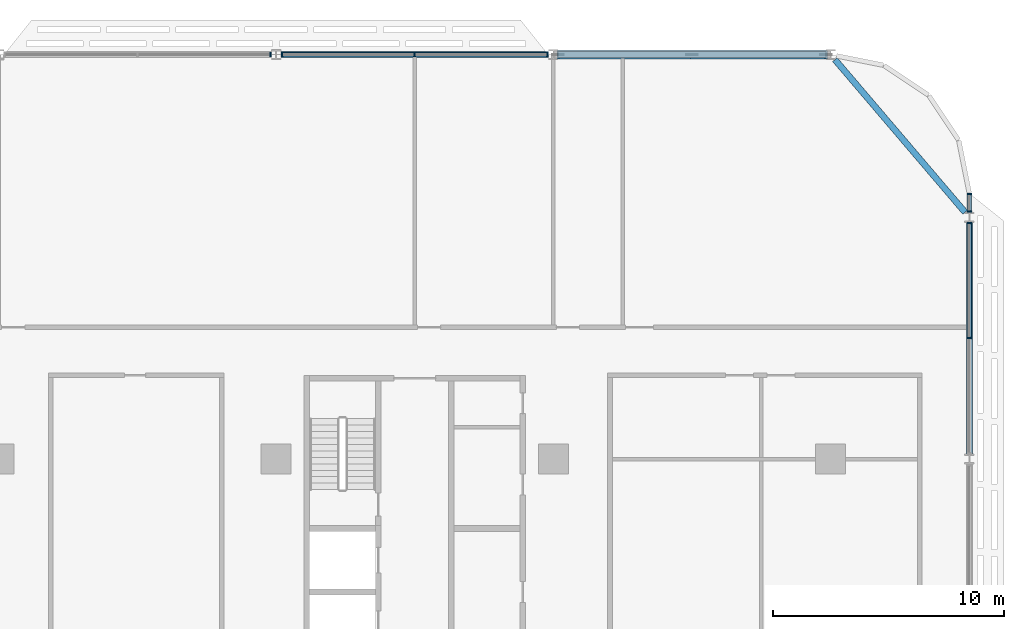
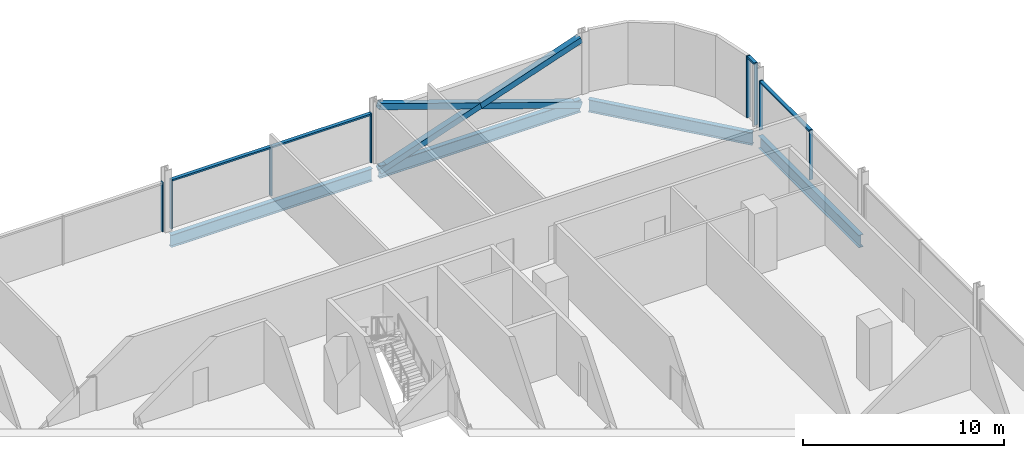
# One storey, part 10 of 29: 15 members, 4 beams, 4 elements without a shape of their own.
"""IFC4 building model written with IfcOpenShell, lengths in metres."""

from ifc_helpers import new_model, si_unit, direction, frame, origin, origin_2d, place, context, subcontext, project, spatial, rectangle, hollow_rectangle, i_section, extrude, material, material_profile, profile_set, type_object, element, aggregate, save


model = new_model("IFC4")

# Units and contexts
model_context = context("Model", 3, precision=1e-05, world=origin(), true_north=direction((0.0, 1.0)))
body_context = subcontext(model_context, "Body", "Model", "MODEL_VIEW")
ifc_project = project(units=[si_unit("LENGTHUNIT", "METRE"), si_unit("AREAUNIT", "SQUARE_METRE"), si_unit("VOLUMEUNIT", "CUBIC_METRE"), si_unit("PLANEANGLEUNIT", "RADIAN"), si_unit("MASSUNIT", "GRAM", prefix="KILO")], contexts=[model_context])

# Site, building, storey
site_placement = place(None, origin())
site = spatial("IfcSite", under=ifc_project, at=site_placement, CompositionType="ELEMENT")
building_placement = place(site_placement, origin())
building = spatial("IfcBuilding", under=site, at=building_placement, Name="Mahtab Terrace Research Tower", CompositionType="ELEMENT")
storey_placement = place(building_placement, frame((0.0, 0.0, 146.60009765625)))
storey = spatial("IfcBuildingStorey", under=building, at=storey_placement, Name="L34", CompositionType="ELEMENT", Elevation=146.60009765625)

# Members
ifc_material_1 = material(Name="Steel ASTM A500 Gr C", Category="steel")
ifc_material_profile_1 = material_profile(ifc_material_1, hollow_rectangle(XDim=0.355712890625, YDim=0.355712890625, WallThickness=0.01904296875, at=origin_2d()), Name="HSS14X14X3/4")
ifc_profile_set_1 = profile_set([ifc_material_profile_1], Name="Steel ASTM A500 Gr C")
member_type_1 = type_object("IfcMemberType", Name="HSS 14x14x3/4 brace XB141434", PredefinedType="BRACE", material=ifc_profile_set_1)
member_1_placement = place(storey_placement, frame((41.794189453125, 29.0, -0.648193359375), z_axis=(-0.946294377485, 0.0, 0.323306280699), x_axis=(0.0, -1.0, 0.0)))
element("IfcMember", 1, at=member_1_placement, inside=storey, type_object=member_type_1, Name="Exoskeleton brace L34 01 a", PredefinedType="BRACE", context=body_context, shape_type="SweptSolid", body=[
    extrude(hollow_rectangle(XDim=0.355712890625, YDim=0.355712890625, WallThickness=0.01904296875, at=origin_2d()), origin(), (0.0, 0.0, 1.0), 12.24609375),
])
for number, where, z_axis, x_axis, name in (
    (2, (30.205810546875, 29.0, -0.648193359375), (0.946288278, 0.0, 0.323324132908), (0.0, 1.0, 0.0), "Exoskeleton brace L34 01 b1"),
    (3, (36.0, 29.0, 1.33154296875), (0.946300476713, 0.0, 0.323288428146), (0.0, 1.0, 0.0), "Exoskeleton brace L34 01 b2"),
):
    element("IfcMember", number, at=place(storey_placement, frame(where, z_axis=z_axis, x_axis=x_axis)), inside=storey, type_object=member_type_1, Name=name, PredefinedType="BRACE", context=body_context, shape_type="SweptSolid", body=[
        extrude(hollow_rectangle(XDim=0.355712890625, YDim=0.355712890625, WallThickness=0.01904296875, at=origin_2d()), origin(), (0.0, 0.0, 1.0), 6.123046875),
    ])

# Curtain wall, members
ifc_material_2 = material(Name="Laboratory ribbon curtain wall")
curtain_wall_type = type_object("IfcCurtainWallType", Name="Laboratory ribbon curtain wall", PredefinedType="NOTDEFINED", material=ifc_material_2)
curtain_wall_1_placement = place(storey_placement, origin())
curtain_wall_1 = element("IfcCurtainWall", 4, at=curtain_wall_1_placement, inside=storey, type_object=curtain_wall_type, Name="EN.L34.3.4", PredefinedType="NOTDEFINED")
ifc_material_3 = material(Name="Natural anodised aluminium", Category="aluminium")
ifc_material_profile_2 = material_profile(ifc_material_3, rectangle(XDim=0.199951171875, YDim=0.06494140625, at=origin_2d()), Name="MULLION 65x200")
ifc_profile_set_2 = profile_set([ifc_material_profile_2], Name="Natural anodised aluminium")
member_type_2 = type_object("IfcMemberType", Name="Laboratory ribbon curtain wall mullion", PredefinedType="MULLION", material=ifc_profile_set_2)
member_2_placement = place(storey_placement, frame((29.74951171875, 29.0, 0.0), z_axis=(0.0, 0.0, 1.0), x_axis=(0.0, -1.0, 0.0)))
member_2 = element("IfcMember", 5, at=member_2_placement, type_object=member_type_2, Name="CWL-4 mullion 1", PredefinedType="MULLION", context=body_context, shape_type="SweptSolid", body=[
    extrude(rectangle(XDim=0.199951171875, YDim=0.06494140625, at=origin_2d()), origin(), (0.0, 0.0, 1.0), 3.0029296875),
])
member_3_placement = place(storey_placement, frame((24.0, 29.0, 0.0), z_axis=(0.0, 0.0, 1.0), x_axis=(0.0, -1.0, 0.0)))
member_3 = element("IfcMember", 6, at=member_3_placement, type_object=member_type_2, Name="CWL-4 mullion 2", PredefinedType="MULLION", context=body_context, shape_type="SweptSolid", body=[
    extrude(rectangle(XDim=0.199951171875, YDim=0.06494140625, at=origin_2d()), origin(), (0.0, 0.0, 1.0), 3.0029296875),
])
member_4_placement = place(storey_placement, frame((18.25048828125, 29.0, 0.0), z_axis=(0.0, 0.0, 1.0), x_axis=(0.0, -1.0, 0.0)))
member_4 = element("IfcMember", 7, at=member_4_placement, type_object=member_type_2, Name="CWL-4 mullion 3", PredefinedType="MULLION", context=body_context, shape_type="SweptSolid", body=[
    extrude(rectangle(XDim=0.199951171875, YDim=0.06494140625, at=origin_2d()), origin(), (0.0, 0.0, 1.0), 3.0029296875),
])

# Curtain wall, member
curtain_wall_2_placement = place(storey_placement, origin())
curtain_wall_2 = element("IfcCurtainWall", 8, at=curtain_wall_2_placement, inside=storey, type_object=curtain_wall_type, Name="EN.L34.3.5", PredefinedType="NOTDEFINED")
member_5_placement = place(storey_placement, frame((17.74951171875, 29.0, 0.0), z_axis=(0.0, 0.0, 1.0), x_axis=(0.0, -1.0, 0.0)))
member_5 = element("IfcMember", 9, at=member_5_placement, type_object=member_type_2, Name="CWL-4 mullion 1", PredefinedType="MULLION", context=body_context, shape_type="SweptSolid", body=[
    extrude(rectangle(XDim=0.199951171875, YDim=0.06494140625, at=origin_2d()), origin(), (0.0, 0.0, 1.0), 3.0029296875),
])
aggregate(curtain_wall_2, [member_5])

# Curtain wall, members
curtain_wall_3_placement = place(storey_placement, origin())
curtain_wall_3 = element("IfcCurtainWall", 10, at=curtain_wall_3_placement, inside=storey, type_object=curtain_wall_type, Name="EN.L34.18.38", PredefinedType="NOTDEFINED")
member_6_placement = place(storey_placement, frame((48.0, 16.73095703125, 0.0), z_axis=(0.0, 0.0, 1.0), x_axis=(-1.0, 0.0, 0.0)))
member_6 = element("IfcMember", 11, at=member_6_placement, type_object=member_type_2, Name="CWL-4 mullion 2", PredefinedType="MULLION", context=body_context, shape_type="SweptSolid", body=[
    extrude(rectangle(XDim=0.199951171875, YDim=0.06494140625, at=origin_2d()), origin(), (0.0, 0.0, 1.0), 3.0029296875),
])
member_7_placement = place(storey_placement, frame((48.0, 21.71142578125, 0.0), z_axis=(0.0, 0.0, 1.0), x_axis=(-1.0, 0.0, 0.0)))
member_7 = element("IfcMember", 12, at=member_7_placement, type_object=member_type_2, Name="CWL-4 mullion 3", PredefinedType="MULLION", context=body_context, shape_type="SweptSolid", body=[
    extrude(rectangle(XDim=0.199951171875, YDim=0.06494140625, at=origin_2d()), origin(), (0.0, 0.0, 1.0), 3.0029296875),
])

curtain_wall_4_placement = place(storey_placement, origin())
curtain_wall_4 = element("IfcCurtainWall", 13, at=curtain_wall_4_placement, inside=storey, type_object=curtain_wall_type, Name="EN.L34.18.39", PredefinedType="NOTDEFINED")
member_8_placement = place(storey_placement, frame((48.0, 22.21240234375, 0.0), z_axis=(0.0, 0.0, 1.0), x_axis=(-1.0, 0.0, 0.0)))
member_8 = element("IfcMember", 14, at=member_8_placement, type_object=member_type_2, Name="CWL-4 mullion 1", PredefinedType="MULLION", context=body_context, shape_type="SweptSolid", body=[
    extrude(rectangle(XDim=0.199951171875, YDim=0.06494140625, at=origin_2d()), origin(), (0.0, 0.0, 1.0), 3.760009765625),
])
member_9_placement = place(storey_placement, frame((48.0, 22.967529296875, 0.0), z_axis=(0.0, 0.0, 1.0), x_axis=(-1.0, 0.0, 0.0)))
member_9 = element("IfcMember", 15, at=member_9_placement, type_object=member_type_2, Name="CWL-4 mullion 2", PredefinedType="MULLION", context=body_context, shape_type="SweptSolid", body=[
    extrude(rectangle(XDim=0.199951171875, YDim=0.06494140625, at=origin_2d()), origin(), (0.0, 0.0, 1.0), 3.760009765625),
])

# Member
ifc_material_profile_3 = material_profile(ifc_material_3, rectangle(XDim=0.199951171875, YDim=0.10009765625, at=origin_2d()), Name="TRANSOM 100x200")
ifc_profile_set_3 = profile_set([ifc_material_profile_3], Name="Natural anodised aluminium")
member_type_3 = type_object("IfcMemberType", Name="Laboratory ribbon curtain wall transom", PredefinedType="USERDEFINED", material=ifc_profile_set_3)
member_10_placement = place(storey_placement, frame((29.717041015625, 29.0, 2.952880859375), z_axis=(-1.0, 0.0, 0.0), x_axis=(0.0, -1.0, 0.0)))
member_10 = element("IfcMember", 16, at=member_10_placement, type_object=member_type_3, Name="CWL-4 transom 1", ObjectType="TRANSOM", PredefinedType="USERDEFINED", context=body_context, shape_type="SweptSolid", body=[
    extrude(rectangle(XDim=0.199951171875, YDim=0.10009765625, at=origin_2d()), origin(), (0.0, 0.0, 1.0), 5.6845703125),
])

member_11_placement = place(storey_placement, frame((23.967529296875, 29.0, 2.952880859375), z_axis=(-1.0, 0.0, 0.0), x_axis=(0.0, -1.0, 0.0)))
member_11 = element("IfcMember", 17, at=member_11_placement, type_object=member_type_3, Name="CWL-4 transom 2", ObjectType="TRANSOM", PredefinedType="USERDEFINED", context=body_context, shape_type="SweptSolid", body=[
    extrude(rectangle(XDim=0.199951171875, YDim=0.10009765625, at=origin_2d()), origin(), (0.0, 0.0, 1.0), 5.6845703125),
])

aggregate(curtain_wall_1, [member_2, member_3, member_4, member_10, member_11])

member_12_placement = place(storey_placement, frame((48.0, 16.763427734375, 2.952880859375), z_axis=(0.0, 1.0, 0.0), x_axis=(-1.0, 0.0, 0.0)))
member_12 = element("IfcMember", 18, at=member_12_placement, type_object=member_type_3, Name="CWL-4 transom 2", ObjectType="TRANSOM", PredefinedType="USERDEFINED", context=body_context, shape_type="SweptSolid", body=[
    extrude(rectangle(XDim=0.199951171875, YDim=0.10009765625, at=origin_2d()), origin(), (0.0, 0.0, 1.0), 4.91552734375),
])

aggregate(curtain_wall_3, [member_6, member_7, member_12])

member_13_placement = place(storey_placement, frame((48.0, 22.2451171875, 3.7099609375), z_axis=(0.0, 1.0, 0.0), x_axis=(-1.0, 0.0, 0.0)))
member_13 = element("IfcMember", 19, at=member_13_placement, type_object=member_type_3, Name="CWL-4 transom 1", ObjectType="TRANSOM", PredefinedType="USERDEFINED", context=body_context, shape_type="SweptSolid", body=[
    extrude(rectangle(XDim=0.199951171875, YDim=0.10009765625, at=origin_2d()), origin(), (0.0, 0.0, 1.0), 0.68994140625),
])

aggregate(curtain_wall_4, [member_8, member_9, member_13])

# Beams
ifc_material_4 = material(Name="Steel ASTM A992 Gr 50", Category="steel")
ifc_material_profile_4 = material_profile(ifc_material_4, i_section(OverallWidth=0.2666015625, OverallDepth=0.7568359375, WebThickness=0.013916015625, FlangeThickness=0.019287109375, at=origin_2d()), Name="W30X108")
ifc_profile_set_4 = profile_set([ifc_material_profile_4], Name="Steel ASTM A992 Gr 50")
beam_type = type_object("IfcBeamType", Name="W30x108 beam BS30108", PredefinedType="BEAM", material=ifc_profile_set_4)
for number, where, z_axis, x_axis, name in (
    (20, (41.794189453125, 29.0, -0.718505859375), (-1.0, 0.0, 0.0), (0.0, -1.0, 0.0), "Spandrel beam L34 01"),
    (21, (29.794189453125, 29.0, -0.718505859375), (-1.0, 0.0, 0.0), (0.0, -1.0, 0.0), "Spandrel beam L34 02"),
):
    element("IfcBeam", number, at=place(storey_placement, frame(where, z_axis=z_axis, x_axis=x_axis)), inside=storey, type_object=beam_type, Name=name, PredefinedType="BEAM", context=body_context, shape_type="SweptSolid", body=[
        extrude(i_section(OverallWidth=0.2666015625, OverallDepth=0.7568359375, WebThickness=0.013916015625, FlangeThickness=0.019287109375, at=origin_2d()), origin(), (0.0, 0.0, 1.0), 11.58837890625),
    ])
beam_1_placement = place(storey_placement, frame((48.0, 11.717041015625, -0.718505859375), z_axis=(0.0, 1.0, 0.0), x_axis=(-1.0, 0.0, 0.0)))
element("IfcBeam", 22, at=beam_1_placement, inside=storey, type_object=beam_type, Name="Spandrel beam L34 24", PredefinedType="BEAM", context=body_context, shape_type="SweptSolid", body=[
    extrude(i_section(OverallWidth=0.2666015625, OverallDepth=0.7568359375, WebThickness=0.013916015625, FlangeThickness=0.019287109375, at=origin_2d()), origin(), (0.0, 0.0, 1.0), 10.02783203125),
])
beam_2_placement = place(storey_placement, frame((47.81494140625, 22.17919921875, -0.718505859375), z_axis=(-0.648764091423, 0.760989588417, 0.0), x_axis=(-0.760989588417, -0.648764091423, 0.0)))
element("IfcBeam", 23, at=beam_2_placement, inside=storey, type_object=beam_type, Name="Spandrel beam L34 25", PredefinedType="BEAM", context=body_context, shape_type="SweptSolid", body=[
    extrude(i_section(OverallWidth=0.2666015625, OverallDepth=0.7568359375, WebThickness=0.013916015625, FlangeThickness=0.019287109375, at=origin_2d()), origin(), (0.0, 0.0, 1.0), 8.677978515625),
])

save(model, "model.ifc")
